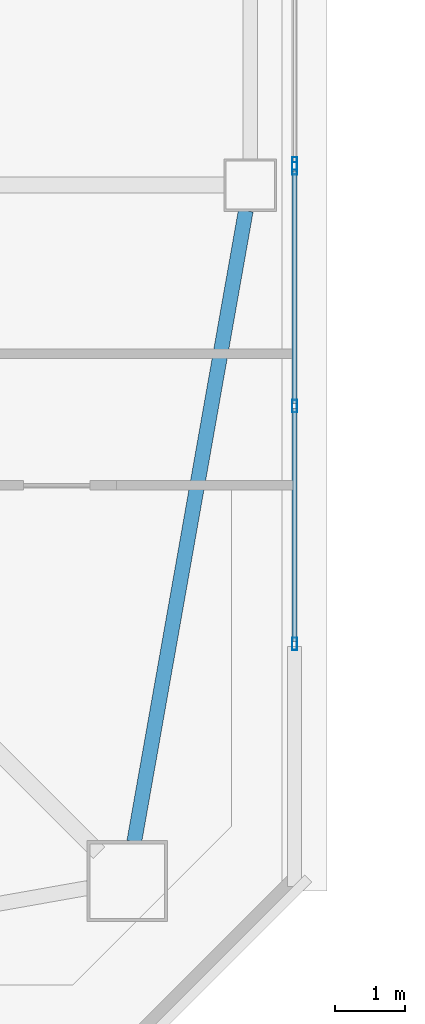
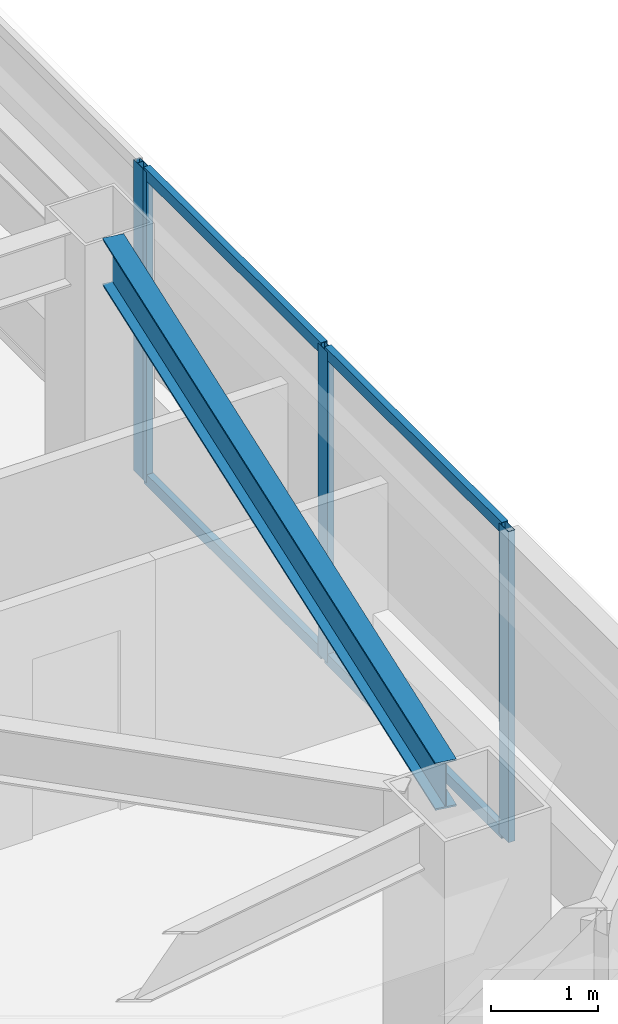
# One storey, part 10 of 43: 8 members, 1 beam, 2 elements without a shape of their own.
"""IFC4 building model written with IfcOpenShell, lengths in metres."""

from ifc_helpers import new_model, si_unit, direction, frame, origin, origin_2d, place, context, subcontext, project, spatial, hollow_rectangle, i_section, extrude, material, material_profile, profile_set, type_object, element, aggregate, save


model = new_model("IFC4")

# Units and contexts
model_context = context("Model", 3, precision=1e-05, world=origin(), true_north=direction((0.0, 1.0)))
body_context = subcontext(model_context, "Body", "Model", "MODEL_VIEW")
ifc_project = project(units=[si_unit("LENGTHUNIT", "METRE"), si_unit("AREAUNIT", "SQUARE_METRE"), si_unit("VOLUMEUNIT", "CUBIC_METRE"), si_unit("PLANEANGLEUNIT", "RADIAN"), si_unit("MASSUNIT", "GRAM", prefix="KILO")], contexts=[model_context])

# Site, building, storey
site_placement = place(None, origin())
site = spatial("IfcSite", under=ifc_project, at=site_placement, CompositionType="ELEMENT")
building_placement = place(site_placement, origin())
building = spatial("IfcBuilding", under=site, at=building_placement, Name="Tashvorn Skyway Center", CompositionType="ELEMENT")
storey_placement = place(building_placement, frame((0.0, 0.0, 160.550048828125)))
storey = spatial("IfcBuildingStorey", under=building, at=storey_placement, Name="L43", CompositionType="ELEMENT", Elevation=160.550048828125)

# Beam
ifc_material_1 = material(Name="Steel ASTM A992 Grade 50", Category="steel")
ifc_material_profile_1 = material_profile(ifc_material_1, i_section(OverallWidth=0.2109375, OverallDepth=0.5390625, WebThickness=0.01171875, FlangeThickness=0.018798828125, at=origin_2d()), Name="W21X73")
ifc_profile_set_1 = profile_set([ifc_material_profile_1], Name="Steel ASTM A992 Grade 50")
beam_type = type_object("IfcBeamType", Name="BM-SPANDREL-W21X73", PredefinedType="SPANDREL", material=ifc_profile_set_1)
beam_placement = place(storey_placement, frame((57.399169921875, 17.26123046875, 3.100341796875), z_axis=(0.174074160933, 0.984732545667, 0.0), x_axis=(-0.984732545667, 0.174074160933, 0.0)))
element("IfcBeam", 1, at=beam_placement, inside=storey, type_object=beam_type, Name="Tower 1 L43 Spandrel Beam 04", PredefinedType="SPANDREL", context=body_context, shape_type="SweptSolid", body=[
    extrude(i_section(OverallWidth=0.2109375, OverallDepth=0.5390625, WebThickness=0.01171875, FlangeThickness=0.018798828125, at=origin_2d()), origin(), (0.0, 0.0, 1.0), 9.113525390625),
])

# Curtain wall, member
ifc_material_2 = material(Name="Thermally broken bronze-anodized aluminium 6063-T6", Category="aluminium")
curtain_wall_type = type_object("IfcCurtainWallType", Name="CW-CW-Z4", PredefinedType="NOTDEFINED", material=ifc_material_2)
curtain_wall_1_placement = place(storey_placement, origin())
curtain_wall_1 = element("IfcCurtainWall", 2, at=curtain_wall_1_placement, inside=storey, type_object=curtain_wall_type, Name="Tower 1 L43 East Unitised Curtain Wall Glazing Group 2", PredefinedType="NOTDEFINED")
ifc_material_profile_2 = material_profile(ifc_material_2, hollow_rectangle(XDim=0.070068359375, YDim=0.179931640625, WallThickness=0.00390625, at=origin_2d()), Name="ALU-MULL-70x180")
ifc_profile_set_2 = profile_set([ifc_material_profile_2], Name="Thermally broken bronze-anodized aluminium 6063-T6")
member_type_1 = type_object("IfcMemberType", Name="CWM-CW-Z4", PredefinedType="MULLION", material=ifc_profile_set_2)
member_1_placement = place(storey_placement, frame((59.679931640625, 26.908203125, 0.0), z_axis=(0.0, 0.0, 1.0), x_axis=(1.0, 0.0, 0.0)))
member_1 = element("IfcMember", 3, at=member_1_placement, type_object=member_type_1, Name="CW-Z4 mullion 2", PredefinedType="MULLION", context=body_context, shape_type="SweptSolid", body=[
    extrude(hollow_rectangle(XDim=0.070068359375, YDim=0.179931640625, WallThickness=0.00390625, at=origin_2d()), origin(), (0.0, 0.0, 1.0), 3.550048828125),
])
aggregate(curtain_wall_1, [member_1])

# Curtain wall, members
curtain_wall_2_placement = place(storey_placement, origin())
curtain_wall_2 = element("IfcCurtainWall", 4, at=curtain_wall_2_placement, inside=storey, type_object=curtain_wall_type, Name="Tower 1 L43 East Unitised Curtain Wall Glazing Group 3", PredefinedType="NOTDEFINED")
member_2_placement = place(storey_placement, frame((59.679931640625, 26.83837890625, 0.0), z_axis=(0.0, 0.0, 1.0), x_axis=(1.0, 0.0, 0.0)))
member_2 = element("IfcMember", 5, at=member_2_placement, type_object=member_type_1, Name="CW-Z4 mullion 1", PredefinedType="MULLION", context=body_context, shape_type="SweptSolid", body=[
    extrude(hollow_rectangle(XDim=0.070068359375, YDim=0.179931640625, WallThickness=0.00390625, at=origin_2d()), origin(), (0.0, 0.0, 1.0), 3.550048828125),
])
member_3_placement = place(storey_placement, frame((59.679931640625, 23.45556640625, 0.0), z_axis=(0.0, 0.0, 1.0), x_axis=(1.0, 0.0, 0.0)))
member_3 = element("IfcMember", 6, at=member_3_placement, type_object=member_type_1, Name="CW-Z4 mullion 2", PredefinedType="MULLION", context=body_context, shape_type="SweptSolid", body=[
    extrude(hollow_rectangle(XDim=0.070068359375, YDim=0.179931640625, WallThickness=0.00390625, at=origin_2d()), origin(), (0.0, 0.0, 1.0), 3.550048828125),
])
member_4_placement = place(storey_placement, frame((59.679931640625, 20.07275390625, 0.0), z_axis=(0.0, 0.0, 1.0), x_axis=(1.0, 0.0, 0.0)))
member_4 = element("IfcMember", 7, at=member_4_placement, type_object=member_type_1, Name="CW-Z4 mullion 3", PredefinedType="MULLION", context=body_context, shape_type="SweptSolid", body=[
    extrude(hollow_rectangle(XDim=0.070068359375, YDim=0.179931640625, WallThickness=0.00390625, at=origin_2d()), origin(), (0.0, 0.0, 1.0), 3.550048828125),
])
ifc_material_profile_3 = material_profile(ifc_material_2, hollow_rectangle(XDim=0.070068359375, YDim=0.1298828125, WallThickness=0.00390625, at=origin_2d()), Name="ALU-TRAN-70x130")
ifc_profile_set_3 = profile_set([ifc_material_profile_3], Name="Thermally broken bronze-anodized aluminium 6063-T6")
member_type_2 = type_object("IfcMemberType", Name="CWT-CW-Z4", PredefinedType="USERDEFINED", material=ifc_profile_set_3)
member_5_placement = place(storey_placement, frame((59.679931640625, 26.80322265625, 0.034912109375), z_axis=(0.0, -1.0, 0.0), x_axis=(1.0, 0.0, 0.0)))
member_5 = element("IfcMember", 8, at=member_5_placement, type_object=member_type_2, Name="CW-Z4 transom 1.1", ObjectType="TRANSOM", PredefinedType="USERDEFINED", context=body_context, shape_type="SweptSolid", body=[
    extrude(hollow_rectangle(XDim=0.070068359375, YDim=0.1298828125, WallThickness=0.00390625, at=origin_2d()), origin(), (0.0, 0.0, 1.0), 3.312744140625),
])
member_6_placement = place(storey_placement, frame((59.679931640625, 26.80322265625, 3.514892578125), z_axis=(0.0, -1.0, 0.0), x_axis=(1.0, 0.0, 0.0)))
member_6 = element("IfcMember", 9, at=member_6_placement, type_object=member_type_2, Name="CW-Z4 transom 1.2", ObjectType="TRANSOM", PredefinedType="USERDEFINED", context=body_context, shape_type="SweptSolid", body=[
    extrude(hollow_rectangle(XDim=0.070068359375, YDim=0.1298828125, WallThickness=0.00390625, at=origin_2d()), origin(), (0.0, 0.0, 1.0), 3.312744140625),
])
member_7_placement = place(storey_placement, frame((59.679931640625, 23.420654296875, 0.034912109375), z_axis=(0.0, -1.0, 0.0), x_axis=(1.0, 0.0, 0.0)))
member_7 = element("IfcMember", 10, at=member_7_placement, type_object=member_type_2, Name="CW-Z4 transom 2.1", ObjectType="TRANSOM", PredefinedType="USERDEFINED", context=body_context, shape_type="SweptSolid", body=[
    extrude(hollow_rectangle(XDim=0.070068359375, YDim=0.1298828125, WallThickness=0.00390625, at=origin_2d()), origin(), (0.0, 0.0, 1.0), 3.312744140625),
])
member_8_placement = place(storey_placement, frame((59.679931640625, 23.420654296875, 3.514892578125), z_axis=(0.0, -1.0, 0.0), x_axis=(1.0, 0.0, 0.0)))
member_8 = element("IfcMember", 11, at=member_8_placement, type_object=member_type_2, Name="CW-Z4 transom 2.2", ObjectType="TRANSOM", PredefinedType="USERDEFINED", context=body_context, shape_type="SweptSolid", body=[
    extrude(hollow_rectangle(XDim=0.070068359375, YDim=0.1298828125, WallThickness=0.00390625, at=origin_2d()), origin(), (0.0, 0.0, 1.0), 3.312744140625),
])
aggregate(curtain_wall_2, [member_2, member_3, member_4, member_5, member_6, member_7, member_8])

save(model, "model.ifc")
